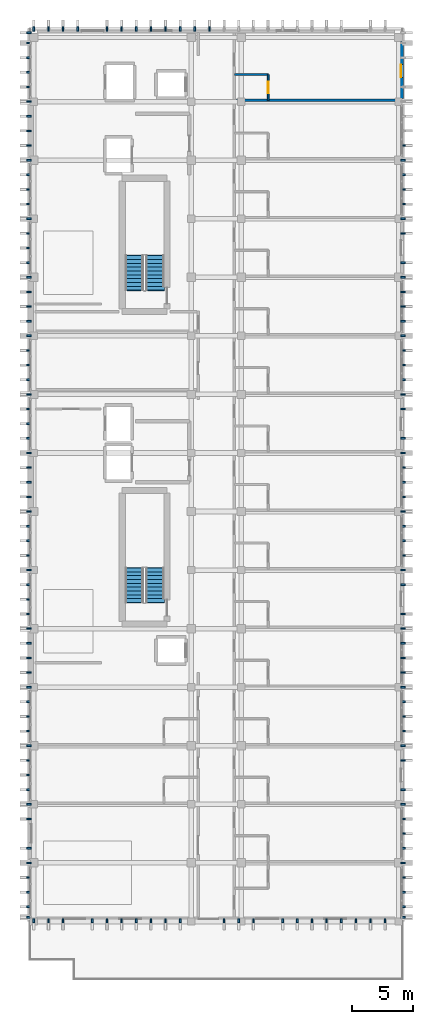
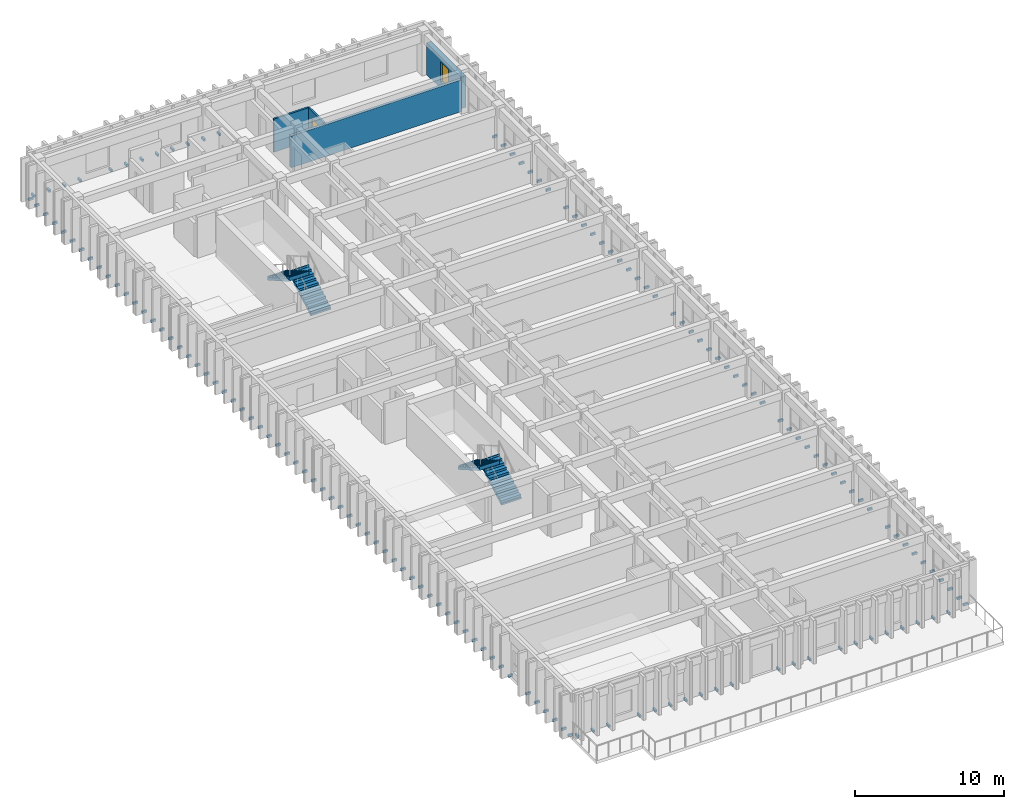
# One storey, part 47 of 53: 144 discrete accessories, 4 stair flights, 4 walls, 1 door, 1 window, 2 openings, 2 elements without a shape of their own.
"""IFC4 building model written with IfcOpenShell, lengths in metres."""

from ifc_helpers import new_model, si_unit, direction, frame, frame_2d, origin, origin_2d, place, context, subcontext, project, spatial, polyline, rectangle, outline, extrude, material, layer, layer_set, type_object, element, fill, aggregate, save


model = new_model("IFC4")

# Units and contexts
model_context = context("Model", 3, precision=1e-05, world=origin(), true_north=direction((0.0, 1.0)))
body_context = subcontext(model_context, "Body", "Model", "MODEL_VIEW")
ifc_project = project(units=[si_unit("LENGTHUNIT", "METRE"), si_unit("AREAUNIT", "SQUARE_METRE"), si_unit("VOLUMEUNIT", "CUBIC_METRE"), si_unit("PLANEANGLEUNIT", "RADIAN"), si_unit("MASSUNIT", "GRAM", prefix="KILO")], contexts=[model_context])

# Site, building, storey
site_placement = place(None, origin())
site = spatial("IfcSite", under=ifc_project, at=site_placement, CompositionType="ELEMENT")
building_placement = place(site_placement, origin())
building = spatial("IfcBuilding", under=site, at=building_placement, Name="Nakhvara Creek Congress Hotel", CompositionType="ELEMENT")
storey_placement = place(building_placement, frame((0.0, 0.0, 35.39990234375)))
storey = spatial("IfcBuildingStorey", under=building, at=storey_placement, Name="L08", CompositionType="ELEMENT", Elevation=35.39990234375)

# Wall, opening, door
ifc_material_1 = material(Name="Moisture-resistant gypsum board partition")
ifc_layer_1 = layer(ifc_material_1, 0.139892578125)
ifc_layer_set_1 = layer_set([ifc_layer_1], Name="Moisture-resistant gypsum board partition")
wall_type_1 = type_object("IfcWallType", Name="W-ENS-140", PredefinedType="PARTITIONING", material=ifc_layer_set_1)
wall_1_placement = place(storey_placement, frame((168.669921875, 120.10009765625, 0.0), z_axis=(0.0, 0.0, 1.0), x_axis=(0.0, 1.0, 0.0)))
wall_1 = element("IfcWall", 1, at=wall_1_placement, inside=storey, type_object=wall_type_1, Name="Interior Wall WP15-IW-L08-0644", PredefinedType="PARTITIONING", context=body_context, shape_type="SweptSolid", body=[
    extrude(rectangle(XDim=2.115966796875, YDim=0.139892578125, at=frame_2d((1.05810546875, 0.0))), origin(), (0.0, 0.0, 1.0), 2.732177734375),
])
opening_1_placement = place(wall_1_placement, frame((0.5830078125, 0.0, 0.0)))
opening_1 = element("IfcOpeningElement", 2, at=opening_1_placement, cuts=wall_1, Name="Opening ID02", PredefinedType="OPENING", context=body_context, shape_type="SweptSolid", body=[
    extrude(rectangle(XDim=0.9599609375, YDim=2.1201171875, at=frame_2d((0.47998046875, 1.06005859375))), frame((0.0, 0.08203125, 0.0), z_axis=(0.0, -1.0, 0.0), x_axis=(1.0, 0.0, 0.0)), (0.0, 0.0, 1.0), 0.163818359375),
])
ifc_material_2 = material(Name="Moisture-resistant walnut timber door", Category="wood")
door_type = type_object("IfcDoorType", Name="DT-ENS-096", OperationType="NOTDEFINED", PredefinedType="DOOR", material=ifc_material_2)
door_placement = place(opening_1_placement, frame((0.9599609375, 0.0, 0.0), z_axis=(0.0, 0.0, 1.0), x_axis=(-1.0, 0.0, 0.0)))
door = element("IfcDoor", 3, at=door_placement, inside=storey, type_object=door_type, Name="Interior Door ID02-0475", OperationType="SINGLE_SWING_RIGHT", OverallHeight=2.1201171875, OverallWidth=0.9599609375, PredefinedType="DOOR", context=body_context, shape_type="SweptSolid", body=[
    extrude(rectangle(XDim=0.9599609375, YDim=2.1201171875, at=frame_2d((0.47998046875, 1.06005859375))), frame((0.0, 0.02490234375, 0.0), z_axis=(0.0, -1.0, 0.0), x_axis=(1.0, 0.0, 0.0)), (0.0, 0.0, 1.0), 0.050048828125),
])
fill(opening_1, door)

# Wall
wall_2_placement = place(storey_placement, frame((165.919921875, 122.216064453125, 0.0), z_axis=(0.0, 0.0, 1.0), x_axis=(1.0, 0.0, 0.0)))
element("IfcWall", 4, at=wall_2_placement, inside=storey, type_object=wall_type_1, Name="Interior Wall WP15-IW-L08-0645", PredefinedType="PARTITIONING", context=body_context, shape_type="SweptSolid", body=[
    extrude(rectangle(XDim=2.75, YDim=0.139892578125, at=frame_2d((1.375, 0.0))), origin(), (0.0, 0.0, 1.0), 2.732177734375),
])

# Wall, opening, window
ifc_material_3 = material(Name="Honed pale Omani limestone cladding", Category="masonry")
ifc_layer_2 = layer(ifc_material_3, 0.050048828125)
ifc_material_4 = material(Name="Mineral wool thermal insulation")
ifc_layer_3 = layer(ifc_material_4, 0.110107421875)
ifc_material_5 = material(Name="Precast concrete C40/50", Category="concrete")
ifc_layer_4 = layer(ifc_material_5, 0.219970703125)
ifc_layer_set_2 = layer_set([ifc_layer_2, ifc_layer_3, ifc_layer_4], Name="Precast concrete C40/50")
wall_type_2 = type_object("IfcWallType", Name="W-EXT-380", PredefinedType="SOLIDWALL", material=ifc_layer_set_2)
wall_3_placement = place(storey_placement, frame((179.56005859375, 124.93505859375, 0.0), z_axis=(0.0, 0.0, 1.0), x_axis=(0.0, -1.0, 0.0)))
wall_3 = element("IfcWall", 5, at=wall_3_placement, inside=storey, type_object=wall_type_2, Name="Exterior Wall WE03-EW-L08-0199", PredefinedType="SOLIDWALL", context=body_context, shape_type="SweptSolid", body=[
    extrude(rectangle(XDim=4.66015625, YDim=0.3798828125, at=frame_2d((2.330078125, 0.0))), origin(), (0.0, 0.0, 1.0), 2.60205078125),
])
opening_2_placement = place(wall_3_placement, frame((1.907470703125, 0.0, 0.550048828125)))
opening_2 = element("IfcOpeningElement", 6, at=opening_2_placement, cuts=wall_3, Name="Opening WN0214", PredefinedType="OPENING", context=body_context, shape_type="SweptSolid", body=[
    extrude(rectangle(XDim=1.050048828125, YDim=1.64990234375, at=frame_2d((0.52490234375, 0.824951171875))), frame((0.0, 0.201904296875, 0.0), z_axis=(0.0, -1.0, 0.0), x_axis=(1.0, 0.0, 0.0)), (0.0, 0.0, 1.0), 0.40380859375),
])
ifc_material_6 = material(Name="Thermally broken bronze-anodised aluminium and double-silver low-E insulated glass", Category="aluminium")
window_type = type_object("IfcWindowType", Name="WN-LAN-105X180", PartitioningType="SINGLE_PANEL", PredefinedType="WINDOW", material=ifc_material_6)
window_placement = place(opening_2_placement, origin())
window = element("IfcWindow", 7, at=window_placement, inside=storey, type_object=window_type, Name="Facade Window WN0214", OverallHeight=1.64990234375, OverallWidth=1.050048828125, PartitioningType="SINGLE_PANEL", PredefinedType="WINDOW", context=body_context, shape_type="SweptSolid", body=[
    extrude(rectangle(XDim=1.050048828125, YDim=1.64990234375, at=frame_2d((0.52490234375, 0.824951171875))), frame((0.0, 0.030029296875, 0.0), z_axis=(0.0, -1.0, 0.0), x_axis=(1.0, 0.0, 0.0)), (0.0, 0.0, 1.0), 0.06005859375),
])
fill(opening_2, window)

# Wall
ifc_material_7 = material(Name="Gypsum acoustic board on steel stud", Category="steel")
ifc_layer_5 = layer(ifc_material_7, 0.199951171875)
ifc_layer_set_3 = layer_set([ifc_layer_5], Name="Gypsum acoustic board on steel stud")
wall_type_3 = type_object("IfcWallType", Name="W-PART-200", PredefinedType="PARTITIONING", material=ifc_layer_set_3)
wall_4_placement = place(storey_placement, frame((166.02001953125, 120.10009765625, 0.0), z_axis=(0.0, 0.0, 1.0), x_axis=(1.0, 0.0, 0.0)))
element("IfcWall", 8, at=wall_4_placement, inside=storey, type_object=wall_type_3, Name="Interior Wall WP12-IW-L08-0643", PredefinedType="PARTITIONING", context=body_context, shape_type="SweptSolid", body=[
    extrude(rectangle(XDim=13.22998046875, YDim=0.199951171875, at=frame_2d((6.614990234375, 0.0))), origin(), (0.0, 0.0, 1.0), 2.60205078125),
])

# Stair, stair flights
ifc_material_8 = material(Name="Concrete C40/50", Category="concrete")
stair_type = type_object("IfcStairType", Name="ST-CORE-160", PredefinedType="HALF_TURN_STAIR", material=ifc_material_8)
stair_1_placement = place(storey_placement, origin())
stair_1 = element("IfcStair", 9, at=stair_1_placement, inside=storey, type_object=stair_type, Name="L08 Protected Exit Stair ST01", PredefinedType="HALF_TURN_STAIR")
ifc_layer_6 = layer(ifc_material_8, 0.18994140625)
ifc_layer_set_4 = layer_set([ifc_layer_6], Name="Concrete C40/50")
stair_flight_type = type_object("IfcStairFlightType", Name="SFL-RC-160", PredefinedType="STRAIGHT", material=ifc_layer_set_4)
stair_flight_1_placement = place(storey_placement, frame((159.3798828125, 78.93994140625, 0.0), z_axis=(0.0, 0.0, 1.0), x_axis=(0.0, 1.0, 0.0)))
stair_flight_1 = element("IfcStairFlight", 10, at=stair_flight_1_placement, type_object=stair_flight_type, Name="ST01 flight 1", NumberOfRisers=10, NumberOfTreads=9, PredefinedType="STRAIGHT", RiserHeight=0.18, TreadLength=0.315, context=body_context, shape_type="SweptSolid", body=[
    extrude(outline(polyline([(-0.048095703125, 0.0), (0.0, 0.0), (0.0, 0.179931640625), (0.31494140625, 0.179931640625), (0.31494140625, 0.360107421875), (0.6298828125, 0.360107421875), (0.6298828125, 0.5400390625), (0.945068359375, 0.5400390625), (0.945068359375, 0.719970703125), (1.260009765625, 0.719970703125), (1.260009765625, 0.89990234375), (1.574951171875, 0.89990234375), (1.574951171875, 1.080078125), (1.889892578125, 1.080078125), (1.889892578125, 1.260009765625), (2.205078125, 1.260009765625), (2.205078125, 1.43994140625), (2.52001953125, 1.43994140625), (2.52001953125, 1.6201171875), (2.8349609375, 1.6201171875), (2.8349609375, 1.800048828125), (2.883056640625, 1.800048828125), (2.883056640625, 1.650146484375), (2.8349609375, 1.447265625), (0.039794921875, -0.14990234375), (-0.048095703125, -0.14990234375), (-0.048095703125, 0.0)])), frame((0.0, 0.77001953125, 0.0), z_axis=(0.0, -1.0, 0.0), x_axis=(1.0, 0.0, 0.0)), (0.0, 0.0, 1.0), 1.5400390625),
])
stair_flight_2_placement = place(storey_placement, frame((157.68994140625, 81.77490234375, 1.800048828125), z_axis=(0.0, 0.0, 1.0), x_axis=(0.0, -1.0, 0.0)))
stair_flight_2 = element("IfcStairFlight", 11, at=stair_flight_2_placement, type_object=stair_flight_type, Name="ST01 flight 2", NumberOfRisers=10, NumberOfTreads=9, PredefinedType="STRAIGHT", RiserHeight=0.18, TreadLength=0.315, context=body_context, shape_type="SweptSolid", body=[
    extrude(outline(polyline([(-0.048095703125, 0.0), (0.0, 0.0), (0.0, 0.179931640625), (0.31494140625, 0.179931640625), (0.31494140625, 0.360107421875), (0.6298828125, 0.360107421875), (0.6298828125, 0.5400390625), (0.945068359375, 0.5400390625), (0.945068359375, 0.719970703125), (1.260009765625, 0.719970703125), (1.260009765625, 0.89990234375), (1.574951171875, 0.89990234375), (1.574951171875, 1.080078125), (1.889892578125, 1.080078125), (1.889892578125, 1.260009765625), (2.205078125, 1.260009765625), (2.205078125, 1.43994140625), (2.52001953125, 1.43994140625), (2.52001953125, 1.6201171875), (2.8349609375, 1.6201171875), (2.8349609375, 1.800048828125), (2.883056640625, 1.800048828125), (2.883056640625, 1.650146484375), (2.8349609375, 1.447265625), (0.039794921875, -0.14990234375), (-0.048095703125, -0.14990234375), (-0.048095703125, 0.0)])), frame((0.0, 0.77001953125, 0.0), z_axis=(0.0, -1.0, 0.0), x_axis=(1.0, 0.0, 0.0)), (0.0, 0.0, 1.0), 1.5400390625),
])
aggregate(stair_1, [stair_flight_1, stair_flight_2])

stair_2_placement = place(storey_placement, origin())
stair_2 = element("IfcStair", 12, at=stair_2_placement, inside=storey, type_object=stair_type, Name="L08 Protected Exit Stair ST02", PredefinedType="HALF_TURN_STAIR")
stair_flight_3_placement = place(storey_placement, frame((159.3798828125, 104.5400390625, 0.0), z_axis=(0.0, 0.0, 1.0), x_axis=(0.0, 1.0, 0.0)))
stair_flight_3 = element("IfcStairFlight", 13, at=stair_flight_3_placement, type_object=stair_flight_type, Name="ST02 flight 1", NumberOfRisers=10, NumberOfTreads=9, PredefinedType="STRAIGHT", RiserHeight=0.18, TreadLength=0.315, context=body_context, shape_type="SweptSolid", body=[
    extrude(outline(polyline([(-0.048095703125, 0.0), (0.0, 0.0), (0.0, 0.179931640625), (0.31494140625, 0.179931640625), (0.31494140625, 0.360107421875), (0.6298828125, 0.360107421875), (0.6298828125, 0.5400390625), (0.945068359375, 0.5400390625), (0.945068359375, 0.719970703125), (1.260009765625, 0.719970703125), (1.260009765625, 0.89990234375), (1.574951171875, 0.89990234375), (1.574951171875, 1.080078125), (1.889892578125, 1.080078125), (1.889892578125, 1.260009765625), (2.205078125, 1.260009765625), (2.205078125, 1.43994140625), (2.52001953125, 1.43994140625), (2.52001953125, 1.6201171875), (2.8349609375, 1.6201171875), (2.8349609375, 1.800048828125), (2.883056640625, 1.800048828125), (2.883056640625, 1.650146484375), (2.8349609375, 1.447265625), (0.039794921875, -0.14990234375), (-0.048095703125, -0.14990234375), (-0.048095703125, 0.0)])), frame((0.0, 0.77001953125, 0.0), z_axis=(0.0, -1.0, 0.0), x_axis=(1.0, 0.0, 0.0)), (0.0, 0.0, 1.0), 1.5400390625),
])
stair_flight_4_placement = place(storey_placement, frame((157.68994140625, 107.375, 1.800048828125), z_axis=(0.0, 0.0, 1.0), x_axis=(0.0, -1.0, 0.0)))
stair_flight_4 = element("IfcStairFlight", 14, at=stair_flight_4_placement, type_object=stair_flight_type, Name="ST02 flight 2", NumberOfRisers=10, NumberOfTreads=9, PredefinedType="STRAIGHT", RiserHeight=0.18, TreadLength=0.315, context=body_context, shape_type="SweptSolid", body=[
    extrude(outline(polyline([(-0.048095703125, 0.0), (0.0, 0.0), (0.0, 0.179931640625), (0.31494140625, 0.179931640625), (0.31494140625, 0.360107421875), (0.6298828125, 0.360107421875), (0.6298828125, 0.5400390625), (0.945068359375, 0.5400390625), (0.945068359375, 0.719970703125), (1.260009765625, 0.719970703125), (1.260009765625, 0.89990234375), (1.574951171875, 0.89990234375), (1.574951171875, 1.080078125), (1.889892578125, 1.080078125), (1.889892578125, 1.260009765625), (2.205078125, 1.260009765625), (2.205078125, 1.43994140625), (2.52001953125, 1.43994140625), (2.52001953125, 1.6201171875), (2.8349609375, 1.6201171875), (2.8349609375, 1.800048828125), (2.883056640625, 1.800048828125), (2.883056640625, 1.650146484375), (2.8349609375, 1.447265625), (0.039794921875, -0.14990234375), (-0.048095703125, -0.14990234375), (-0.048095703125, 0.0)])), frame((0.0, 0.77001953125, 0.0), z_axis=(0.0, -1.0, 0.0), x_axis=(1.0, 0.0, 0.0)), (0.0, 0.0, 1.0), 1.5400390625),
])
aggregate(stair_2, [stair_flight_3, stair_flight_4])

# Discrete accessories
ifc_material_9 = material(Name="Brushed stainless steel 316L", Category="steel")
discrete_accessory_type = type_object("IfcDiscreteAccessoryType", Name="ACC-BRK-SS316", PredefinedType="BRACKET", material=ifc_material_9)
for number, where, z_axis, x_axis, name in (
    (15, (179.72998046875, 53.14990234375, -0.10986328125), (0.0, 0.0, 1.0), (0.0, 1.0, 0.0), "Stainless Fin Bracket BK01-1840"),
    (16, (149.070068359375, 53.14990234375, -0.10986328125), (0.0, 0.0, 1.0), (0.0, 1.0, 0.0), "Stainless Fin Bracket BK01-1841"),
    (17, (179.72998046875, 54.0, -0.10986328125), (0.0, 0.0, 1.0), (0.0, 1.0, 0.0), "Stainless Fin Bracket BK01-1842"),
    (18, (149.070068359375, 54.0, -0.10986328125), (0.0, 0.0, 1.0), (0.0, 1.0, 0.0), "Stainless Fin Bracket BK01-1843"),
    (19, (179.72998046875, 55.199951171875, -0.10986328125), (0.0, 0.0, 1.0), (0.0, 1.0, 0.0), "Stainless Fin Bracket BK01-1844"),
    (20, (149.070068359375, 55.199951171875, -0.10986328125), (0.0, 0.0, 1.0), (0.0, 1.0, 0.0), "Stainless Fin Bracket BK01-1845"),
    (21, (179.72998046875, 56.39990234375, -0.10986328125), (0.0, 0.0, 1.0), (0.0, 1.0, 0.0), "Stainless Fin Bracket BK01-1846"),
    (22, (149.070068359375, 56.39990234375, -0.10986328125), (0.0, 0.0, 1.0), (0.0, 1.0, 0.0), "Stainless Fin Bracket BK01-1847"),
    (23, (179.72998046875, 57.60009765625, -0.10986328125), (0.0, 0.0, 1.0), (0.0, 1.0, 0.0), "Stainless Fin Bracket BK01-1848"),
    (24, (149.070068359375, 57.60009765625, -0.10986328125), (0.0, 0.0, 1.0), (0.0, 1.0, 0.0), "Stainless Fin Bracket BK01-1849"),
    (25, (179.72998046875, 58.800048828125, -0.10986328125), (0.0, 0.0, 1.0), (0.0, 1.0, 0.0), "Stainless Fin Bracket BK01-1850"),
    (26, (149.070068359375, 58.800048828125, -0.10986328125), (0.0, 0.0, 1.0), (0.0, 1.0, 0.0), "Stainless Fin Bracket BK01-1851"),
    (27, (179.72998046875, 60.0, -0.10986328125), (0.0, 0.0, 1.0), (0.0, 1.0, 0.0), "Stainless Fin Bracket BK01-1852"),
    (28, (179.72998046875, 61.199951171875, -0.10986328125), (0.0, 0.0, 1.0), (0.0, 1.0, 0.0), "Stainless Fin Bracket BK01-1853"),
    (29, (149.070068359375, 61.199951171875, -0.10986328125), (0.0, 0.0, 1.0), (0.0, 1.0, 0.0), "Stainless Fin Bracket BK01-1854"),
    (30, (179.72998046875, 62.39990234375, -0.10986328125), (0.0, 0.0, 1.0), (0.0, 1.0, 0.0), "Stainless Fin Bracket BK01-1855"),
    (31, (149.070068359375, 62.39990234375, -0.10986328125), (0.0, 0.0, 1.0), (0.0, 1.0, 0.0), "Stainless Fin Bracket BK01-1856"),
    (32, (179.72998046875, 63.60009765625, -0.10986328125), (0.0, 0.0, 1.0), (0.0, 1.0, 0.0), "Stainless Fin Bracket BK01-1857"),
    (33, (149.070068359375, 63.60009765625, -0.10986328125), (0.0, 0.0, 1.0), (0.0, 1.0, 0.0), "Stainless Fin Bracket BK01-1858"),
    (34, (149.070068359375, 64.800048828125, -0.10986328125), (0.0, 0.0, 1.0), (0.0, 1.0, 0.0), "Stainless Fin Bracket BK01-1859"),
    (35, (179.72998046875, 66.0, -0.10986328125), (0.0, 0.0, 1.0), (0.0, 1.0, 0.0), "Stainless Fin Bracket BK01-1860"),
    (36, (149.070068359375, 66.0, -0.10986328125), (0.0, 0.0, 1.0), (0.0, 1.0, 0.0), "Stainless Fin Bracket BK01-1861"),
    (37, (179.72998046875, 67.199951171875, -0.10986328125), (0.0, 0.0, 1.0), (0.0, 1.0, 0.0), "Stainless Fin Bracket BK01-1862"),
    (38, (149.070068359375, 67.199951171875, -0.10986328125), (0.0, 0.0, 1.0), (0.0, 1.0, 0.0), "Stainless Fin Bracket BK01-1863"),
    (39, (179.72998046875, 68.39990234375, -0.10986328125), (0.0, 0.0, 1.0), (0.0, 1.0, 0.0), "Stainless Fin Bracket BK01-1864"),
    (40, (149.070068359375, 68.39990234375, -0.10986328125), (0.0, 0.0, 1.0), (0.0, 1.0, 0.0), "Stainless Fin Bracket BK01-1865"),
    (41, (179.72998046875, 69.60009765625, -0.10986328125), (0.0, 0.0, 1.0), (0.0, 1.0, 0.0), "Stainless Fin Bracket BK01-1866"),
    (42, (149.070068359375, 69.60009765625, -0.10986328125), (0.0, 0.0, 1.0), (0.0, 1.0, 0.0), "Stainless Fin Bracket BK01-1867"),
    (43, (179.72998046875, 70.800048828125, -0.10986328125), (0.0, 0.0, 1.0), (0.0, 1.0, 0.0), "Stainless Fin Bracket BK01-1868"),
    (44, (149.070068359375, 70.800048828125, -0.10986328125), (0.0, 0.0, 1.0), (0.0, 1.0, 0.0), "Stainless Fin Bracket BK01-1869"),
    (45, (179.72998046875, 72.0, -0.10986328125), (0.0, 0.0, 1.0), (0.0, 1.0, 0.0), "Stainless Fin Bracket BK01-1870"),
    (46, (149.070068359375, 72.0, -0.10986328125), (0.0, 0.0, 1.0), (0.0, 1.0, 0.0), "Stainless Fin Bracket BK01-1871"),
    (47, (179.72998046875, 73.199951171875, -0.10986328125), (0.0, 0.0, 1.0), (0.0, 1.0, 0.0), "Stainless Fin Bracket BK01-1872"),
    (48, (149.070068359375, 73.199951171875, -0.10986328125), (0.0, 0.0, 1.0), (0.0, 1.0, 0.0), "Stainless Fin Bracket BK01-1873"),
    (49, (179.72998046875, 74.39990234375, -0.10986328125), (0.0, 0.0, 1.0), (0.0, 1.0, 0.0), "Stainless Fin Bracket BK01-1874"),
    (50, (149.070068359375, 74.39990234375, -0.10986328125), (0.0, 0.0, 1.0), (0.0, 1.0, 0.0), "Stainless Fin Bracket BK01-1875"),
    (51, (179.72998046875, 75.60009765625, -0.10986328125), (0.0, 0.0, 1.0), (0.0, 1.0, 0.0), "Stainless Fin Bracket BK01-1876"),
    (52, (149.070068359375, 75.60009765625, -0.10986328125), (0.0, 0.0, 1.0), (0.0, 1.0, 0.0), "Stainless Fin Bracket BK01-1877"),
    (53, (179.72998046875, 76.800048828125, -0.10986328125), (0.0, 0.0, 1.0), (0.0, 1.0, 0.0), "Stainless Fin Bracket BK01-1878"),
    (54, (149.070068359375, 76.800048828125, -0.10986328125), (0.0, 0.0, 1.0), (0.0, 1.0, 0.0), "Stainless Fin Bracket BK01-1879"),
    (55, (179.72998046875, 78.0, -0.10986328125), (0.0, 0.0, 1.0), (0.0, 1.0, 0.0), "Stainless Fin Bracket BK01-1880"),
    (56, (149.070068359375, 78.0, -0.10986328125), (0.0, 0.0, 1.0), (0.0, 1.0, 0.0), "Stainless Fin Bracket BK01-1881"),
    (57, (149.070068359375, 79.199951171875, -0.10986328125), (0.0, 0.0, 1.0), (0.0, 1.0, 0.0), "Stainless Fin Bracket BK01-1882"),
    (58, (179.72998046875, 80.39990234375, -0.10986328125), (0.0, 0.0, 1.0), (0.0, 1.0, 0.0), "Stainless Fin Bracket BK01-1883"),
    (59, (149.070068359375, 80.39990234375, -0.10986328125), (0.0, 0.0, 1.0), (0.0, 1.0, 0.0), "Stainless Fin Bracket BK01-1884"),
    (60, (179.72998046875, 81.60009765625, -0.10986328125), (0.0, 0.0, 1.0), (0.0, 1.0, 0.0), "Stainless Fin Bracket BK01-1885"),
    (61, (149.070068359375, 81.60009765625, -0.10986328125), (0.0, 0.0, 1.0), (0.0, 1.0, 0.0), "Stainless Fin Bracket BK01-1886"),
    (62, (179.72998046875, 82.800048828125, -0.10986328125), (0.0, 0.0, 1.0), (0.0, 1.0, 0.0), "Stainless Fin Bracket BK01-1887"),
    (63, (149.070068359375, 82.800048828125, -0.10986328125), (0.0, 0.0, 1.0), (0.0, 1.0, 0.0), "Stainless Fin Bracket BK01-1888"),
    (64, (179.72998046875, 84.0, -0.10986328125), (0.0, 0.0, 1.0), (0.0, 1.0, 0.0), "Stainless Fin Bracket BK01-1889"),
    (65, (149.070068359375, 84.0, -0.10986328125), (0.0, 0.0, 1.0), (0.0, 1.0, 0.0), "Stainless Fin Bracket BK01-1890"),
    (66, (179.72998046875, 85.199951171875, -0.10986328125), (0.0, 0.0, 1.0), (0.0, 1.0, 0.0), "Stainless Fin Bracket BK01-1891"),
    (67, (149.070068359375, 85.199951171875, -0.10986328125), (0.0, 0.0, 1.0), (0.0, 1.0, 0.0), "Stainless Fin Bracket BK01-1892"),
    (68, (179.72998046875, 86.39990234375, -0.10986328125), (0.0, 0.0, 1.0), (0.0, 1.0, 0.0), "Stainless Fin Bracket BK01-1893"),
    (69, (149.070068359375, 86.39990234375, -0.10986328125), (0.0, 0.0, 1.0), (0.0, 1.0, 0.0), "Stainless Fin Bracket BK01-1894"),
    (70, (179.72998046875, 87.60009765625, -0.10986328125), (0.0, 0.0, 1.0), (0.0, 1.0, 0.0), "Stainless Fin Bracket BK01-1895"),
    (71, (149.070068359375, 87.60009765625, -0.10986328125), (0.0, 0.0, 1.0), (0.0, 1.0, 0.0), "Stainless Fin Bracket BK01-1896"),
    (72, (179.72998046875, 88.800048828125, -0.10986328125), (0.0, 0.0, 1.0), (0.0, 1.0, 0.0), "Stainless Fin Bracket BK01-1897"),
    (73, (149.070068359375, 88.800048828125, -0.10986328125), (0.0, 0.0, 1.0), (0.0, 1.0, 0.0), "Stainless Fin Bracket BK01-1898"),
    (74, (179.72998046875, 90.0, -0.10986328125), (0.0, 0.0, 1.0), (0.0, 1.0, 0.0), "Stainless Fin Bracket BK01-1899"),
    (75, (149.070068359375, 90.0, -0.10986328125), (0.0, 0.0, 1.0), (0.0, 1.0, 0.0), "Stainless Fin Bracket BK01-1900"),
    (76, (179.72998046875, 91.199951171875, -0.10986328125), (0.0, 0.0, 1.0), (0.0, 1.0, 0.0), "Stainless Fin Bracket BK01-1901"),
    (77, (149.070068359375, 91.199951171875, -0.10986328125), (0.0, 0.0, 1.0), (0.0, 1.0, 0.0), "Stainless Fin Bracket BK01-1902"),
    (78, (179.72998046875, 92.39990234375, -0.10986328125), (0.0, 0.0, 1.0), (0.0, 1.0, 0.0), "Stainless Fin Bracket BK01-1903"),
    (79, (149.070068359375, 92.39990234375, -0.10986328125), (0.0, 0.0, 1.0), (0.0, 1.0, 0.0), "Stainless Fin Bracket BK01-1904"),
    (80, (149.070068359375, 93.60009765625, -0.10986328125), (0.0, 0.0, 1.0), (0.0, 1.0, 0.0), "Stainless Fin Bracket BK01-1905"),
    (81, (179.72998046875, 94.800048828125, -0.10986328125), (0.0, 0.0, 1.0), (0.0, 1.0, 0.0), "Stainless Fin Bracket BK01-1906"),
    (82, (149.070068359375, 94.800048828125, -0.10986328125), (0.0, 0.0, 1.0), (0.0, 1.0, 0.0), "Stainless Fin Bracket BK01-1907"),
    (83, (179.72998046875, 96.0, -0.10986328125), (0.0, 0.0, 1.0), (0.0, 1.0, 0.0), "Stainless Fin Bracket BK01-1908"),
    (84, (149.070068359375, 96.0, -0.10986328125), (0.0, 0.0, 1.0), (0.0, 1.0, 0.0), "Stainless Fin Bracket BK01-1909"),
    (85, (179.72998046875, 97.199951171875, -0.10986328125), (0.0, 0.0, 1.0), (0.0, 1.0, 0.0), "Stainless Fin Bracket BK01-1910"),
    (86, (149.070068359375, 97.199951171875, -0.10986328125), (0.0, 0.0, 1.0), (0.0, 1.0, 0.0), "Stainless Fin Bracket BK01-1911"),
    (87, (179.72998046875, 98.39990234375, -0.10986328125), (0.0, 0.0, 1.0), (0.0, 1.0, 0.0), "Stainless Fin Bracket BK01-1912"),
    (88, (149.070068359375, 98.39990234375, -0.10986328125), (0.0, 0.0, 1.0), (0.0, 1.0, 0.0), "Stainless Fin Bracket BK01-1913"),
    (89, (179.72998046875, 99.60009765625, -0.10986328125), (0.0, 0.0, 1.0), (0.0, 1.0, 0.0), "Stainless Fin Bracket BK01-1914"),
    (90, (149.070068359375, 99.60009765625, -0.10986328125), (0.0, 0.0, 1.0), (0.0, 1.0, 0.0), "Stainless Fin Bracket BK01-1915"),
    (91, (179.72998046875, 100.800048828125, -0.10986328125), (0.0, 0.0, 1.0), (0.0, 1.0, 0.0), "Stainless Fin Bracket BK01-1916"),
    (92, (149.070068359375, 100.800048828125, -0.10986328125), (0.0, 0.0, 1.0), (0.0, 1.0, 0.0), "Stainless Fin Bracket BK01-1917"),
    (93, (179.72998046875, 102.0, -0.10986328125), (0.0, 0.0, 1.0), (0.0, 1.0, 0.0), "Stainless Fin Bracket BK01-1918"),
    (94, (149.070068359375, 102.0, -0.10986328125), (0.0, 0.0, 1.0), (0.0, 1.0, 0.0), "Stainless Fin Bracket BK01-1919"),
    (95, (179.72998046875, 103.199951171875, -0.10986328125), (0.0, 0.0, 1.0), (0.0, 1.0, 0.0), "Stainless Fin Bracket BK01-1920"),
    (96, (149.070068359375, 103.199951171875, -0.10986328125), (0.0, 0.0, 1.0), (0.0, 1.0, 0.0), "Stainless Fin Bracket BK01-1921"),
    (97, (179.72998046875, 104.39990234375, -0.10986328125), (0.0, 0.0, 1.0), (0.0, 1.0, 0.0), "Stainless Fin Bracket BK01-1922"),
    (98, (149.070068359375, 104.39990234375, -0.10986328125), (0.0, 0.0, 1.0), (0.0, 1.0, 0.0), "Stainless Fin Bracket BK01-1923"),
    (99, (179.72998046875, 105.60009765625, -0.10986328125), (0.0, 0.0, 1.0), (0.0, 1.0, 0.0), "Stainless Fin Bracket BK01-1924"),
    (100, (149.070068359375, 105.60009765625, -0.10986328125), (0.0, 0.0, 1.0), (0.0, 1.0, 0.0), "Stainless Fin Bracket BK01-1925"),
    (101, (179.72998046875, 106.800048828125, -0.10986328125), (0.0, 0.0, 1.0), (0.0, 1.0, 0.0), "Stainless Fin Bracket BK01-1926"),
    (102, (149.070068359375, 106.800048828125, -0.10986328125), (0.0, 0.0, 1.0), (0.0, 1.0, 0.0), "Stainless Fin Bracket BK01-1927"),
    (103, (149.070068359375, 108.0, -0.10986328125), (0.0, 0.0, 1.0), (0.0, 1.0, 0.0), "Stainless Fin Bracket BK01-1928"),
    (104, (179.72998046875, 109.199951171875, -0.10986328125), (0.0, 0.0, 1.0), (0.0, 1.0, 0.0), "Stainless Fin Bracket BK01-1929"),
    (105, (149.070068359375, 109.199951171875, -0.10986328125), (0.0, 0.0, 1.0), (0.0, 1.0, 0.0), "Stainless Fin Bracket BK01-1930"),
    (106, (179.72998046875, 110.39990234375, -0.10986328125), (0.0, 0.0, 1.0), (0.0, 1.0, 0.0), "Stainless Fin Bracket BK01-1931"),
    (107, (149.070068359375, 110.39990234375, -0.10986328125), (0.0, 0.0, 1.0), (0.0, 1.0, 0.0), "Stainless Fin Bracket BK01-1932"),
    (108, (179.72998046875, 111.60009765625, -0.10986328125), (0.0, 0.0, 1.0), (0.0, 1.0, 0.0), "Stainless Fin Bracket BK01-1933"),
    (109, (149.070068359375, 111.60009765625, -0.10986328125), (0.0, 0.0, 1.0), (0.0, 1.0, 0.0), "Stainless Fin Bracket BK01-1934"),
    (110, (179.72998046875, 112.800048828125, -0.10986328125), (0.0, 0.0, 1.0), (0.0, 1.0, 0.0), "Stainless Fin Bracket BK01-1935"),
    (111, (149.070068359375, 112.800048828125, -0.10986328125), (0.0, 0.0, 1.0), (0.0, 1.0, 0.0), "Stainless Fin Bracket BK01-1936"),
    (112, (179.72998046875, 114.0, -0.10986328125), (0.0, 0.0, 1.0), (0.0, 1.0, 0.0), "Stainless Fin Bracket BK01-1937"),
    (113, (149.070068359375, 114.0, -0.10986328125), (0.0, 0.0, 1.0), (0.0, 1.0, 0.0), "Stainless Fin Bracket BK01-1938"),
    (114, (179.72998046875, 115.199951171875, -0.10986328125), (0.0, 0.0, 1.0), (0.0, 1.0, 0.0), "Stainless Fin Bracket BK01-1939"),
    (115, (149.070068359375, 115.199951171875, -0.10986328125), (0.0, 0.0, 1.0), (0.0, 1.0, 0.0), "Stainless Fin Bracket BK01-1940"),
    (116, (179.72998046875, 116.39990234375, -0.10986328125), (0.0, 0.0, 1.0), (0.0, 1.0, 0.0), "Stainless Fin Bracket BK01-1941"),
    (117, (149.070068359375, 116.39990234375, -0.10986328125), (0.0, 0.0, 1.0), (0.0, 1.0, 0.0), "Stainless Fin Bracket BK01-1942"),
    (118, (149.070068359375, 117.60009765625, -0.10986328125), (0.0, 0.0, 1.0), (0.0, 1.0, 0.0), "Stainless Fin Bracket BK01-1944"),
    (119, (149.070068359375, 118.800048828125, -0.10986328125), (0.0, 0.0, 1.0), (0.0, 1.0, 0.0), "Stainless Fin Bracket BK01-1946"),
    (120, (149.070068359375, 120.0, -0.10986328125), (0.0, 0.0, 1.0), (0.0, 1.0, 0.0), "Stainless Fin Bracket BK01-1948"),
    (121, (149.070068359375, 121.199951171875, -0.10986328125), (0.0, 0.0, 1.0), (0.0, 1.0, 0.0), "Stainless Fin Bracket BK01-1950"),
    (122, (149.070068359375, 122.39990234375, -0.10986328125), (0.0, 0.0, 1.0), (0.0, 1.0, 0.0), "Stainless Fin Bracket BK01-1951"),
    (123, (149.070068359375, 123.60009765625, -0.10986328125), (0.0, 0.0, 1.0), (0.0, 1.0, 0.0), "Stainless Fin Bracket BK01-1953"),
    (124, (149.070068359375, 124.800048828125, -0.10986328125), (0.0, 0.0, 1.0), (0.0, 1.0, 0.0), "Stainless Fin Bracket BK01-1955"),
    (125, (149.070068359375, 125.64990234375, -0.10986328125), (0.0, 0.0, 1.0), (0.0, 1.0, 0.0), "Stainless Fin Bracket BK01-1957"),
    (126, (149.449951171875, 125.93994140625, -0.10986328125), (0.0, 0.0, 1.0), (1.0, 0.0, 0.0), "Stainless Fin Bracket BK01-1958"),
    (127, (149.449951171875, 52.860107421875, -0.10986328125), (0.0, 0.0, 1.0), (1.0, 0.0, 0.0), "Stainless Fin Bracket BK01-1959"),
    (128, (150.64990234375, 125.93994140625, -0.10986328125), (0.0, 0.0, 1.0), (1.0, 0.0, 0.0), "Stainless Fin Bracket BK01-1960"),
    (129, (150.64990234375, 52.860107421875, -0.10986328125), (0.0, 0.0, 1.0), (1.0, 0.0, 0.0), "Stainless Fin Bracket BK01-1961"),
    (130, (151.85009765625, 125.93994140625, -0.10986328125), (0.0, 0.0, 1.0), (1.0, 0.0, 0.0), "Stainless Fin Bracket BK01-1962"),
    (131, (151.85009765625, 52.860107421875, -0.10986328125), (0.0, 0.0, 1.0), (1.0, 0.0, 0.0), "Stainless Fin Bracket BK01-1963"),
    (132, (153.050048828125, 125.93994140625, -0.10986328125), (0.0, 0.0, 1.0), (1.0, 0.0, 0.0), "Stainless Fin Bracket BK01-1964"),
    (133, (154.25, 52.860107421875, -0.10986328125), (0.0, 0.0, 1.0), (1.0, 0.0, 0.0), "Stainless Fin Bracket BK01-1965"),
    (134, (155.449951171875, 125.93994140625, -0.10986328125), (0.0, 0.0, 1.0), (1.0, 0.0, 0.0), "Stainless Fin Bracket BK01-1966"),
    (135, (155.449951171875, 52.860107421875, -0.10986328125), (0.0, 0.0, 1.0), (1.0, 0.0, 0.0), "Stainless Fin Bracket BK01-1967"),
    (136, (156.64990234375, 125.93994140625, -0.10986328125), (0.0, 0.0, 1.0), (1.0, 0.0, 0.0), "Stainless Fin Bracket BK01-1968"),
    (137, (156.64990234375, 52.860107421875, -0.10986328125), (0.0, 0.0, 1.0), (1.0, 0.0, 0.0), "Stainless Fin Bracket BK01-1969"),
    (138, (157.85009765625, 125.93994140625, -0.10986328125), (0.0, 0.0, 1.0), (1.0, 0.0, 0.0), "Stainless Fin Bracket BK01-1970"),
    (139, (157.85009765625, 52.860107421875, -0.10986328125), (0.0, 0.0, 1.0), (1.0, 0.0, 0.0), "Stainless Fin Bracket BK01-1971"),
    (140, (159.050048828125, 125.93994140625, -0.10986328125), (0.0, 0.0, 1.0), (1.0, 0.0, 0.0), "Stainless Fin Bracket BK01-1972"),
    (141, (159.050048828125, 52.860107421875, -0.10986328125), (0.0, 0.0, 1.0), (1.0, 0.0, 0.0), "Stainless Fin Bracket BK01-1973"),
    (142, (160.25, 125.93994140625, -0.10986328125), (0.0, 0.0, 1.0), (1.0, 0.0, 0.0), "Stainless Fin Bracket BK01-1974"),
    (143, (160.25, 52.860107421875, -0.10986328125), (0.0, 0.0, 1.0), (1.0, 0.0, 0.0), "Stainless Fin Bracket BK01-1975"),
    (144, (161.449951171875, 125.93994140625, -0.10986328125), (0.0, 0.0, 1.0), (1.0, 0.0, 0.0), "Stainless Fin Bracket BK01-1976"),
    (145, (161.449951171875, 52.860107421875, -0.10986328125), (0.0, 0.0, 1.0), (1.0, 0.0, 0.0), "Stainless Fin Bracket BK01-1977"),
    (146, (162.64990234375, 125.93994140625, -0.10986328125), (0.0, 0.0, 1.0), (1.0, 0.0, 0.0), "Stainless Fin Bracket BK01-1978"),
    (147, (163.85009765625, 125.93994140625, -0.10986328125), (0.0, 0.0, 1.0), (1.0, 0.0, 0.0), "Stainless Fin Bracket BK01-1979"),
    (148, (165.050048828125, 52.860107421875, -0.10986328125), (0.0, 0.0, 1.0), (1.0, 0.0, 0.0), "Stainless Fin Bracket BK01-1981"),
    (149, (166.25, 52.860107421875, -0.10986328125), (0.0, 0.0, 1.0), (1.0, 0.0, 0.0), "Stainless Fin Bracket BK01-1983"),
    (150, (167.449951171875, 52.860107421875, -0.10986328125), (0.0, 0.0, 1.0), (1.0, 0.0, 0.0), "Stainless Fin Bracket BK01-1985"),
    (151, (169.85009765625, 52.860107421875, -0.10986328125), (0.0, 0.0, 1.0), (1.0, 0.0, 0.0), "Stainless Fin Bracket BK01-1988"),
    (152, (171.050048828125, 52.860107421875, -0.10986328125), (0.0, 0.0, 1.0), (1.0, 0.0, 0.0), "Stainless Fin Bracket BK01-1990"),
    (153, (172.25, 52.860107421875, -0.10986328125), (0.0, 0.0, 1.0), (1.0, 0.0, 0.0), "Stainless Fin Bracket BK01-1992"),
    (154, (173.449951171875, 52.860107421875, -0.10986328125), (0.0, 0.0, 1.0), (1.0, 0.0, 0.0), "Stainless Fin Bracket BK01-1994"),
    (155, (174.64990234375, 52.860107421875, -0.10986328125), (0.0, 0.0, 1.0), (1.0, 0.0, 0.0), "Stainless Fin Bracket BK01-1996"),
    (156, (175.85009765625, 52.860107421875, -0.10986328125), (0.0, 0.0, 1.0), (1.0, 0.0, 0.0), "Stainless Fin Bracket BK01-1997"),
    (157, (177.050048828125, 52.860107421875, -0.10986328125), (0.0, 0.0, 1.0), (1.0, 0.0, 0.0), "Stainless Fin Bracket BK01-1999"),
    (158, (178.25, 52.860107421875, -0.10986328125), (0.0, 0.0, 1.0), (1.0, 0.0, 0.0), "Stainless Fin Bracket BK01-2001"),
):
    element("IfcDiscreteAccessory", number, at=place(storey_placement, frame(where, z_axis=z_axis, x_axis=x_axis)), inside=storey, type_object=discrete_accessory_type, Name=name, PredefinedType="BRACKET", context=body_context, shape_type="SweptSolid", body=[
        extrude(rectangle(XDim=0.139892578125, YDim=0.360107421875, at=origin_2d()), origin(), (0.0, 0.0, 1.0), 0.179931640625),
    ])

save(model, "model.ifc")
